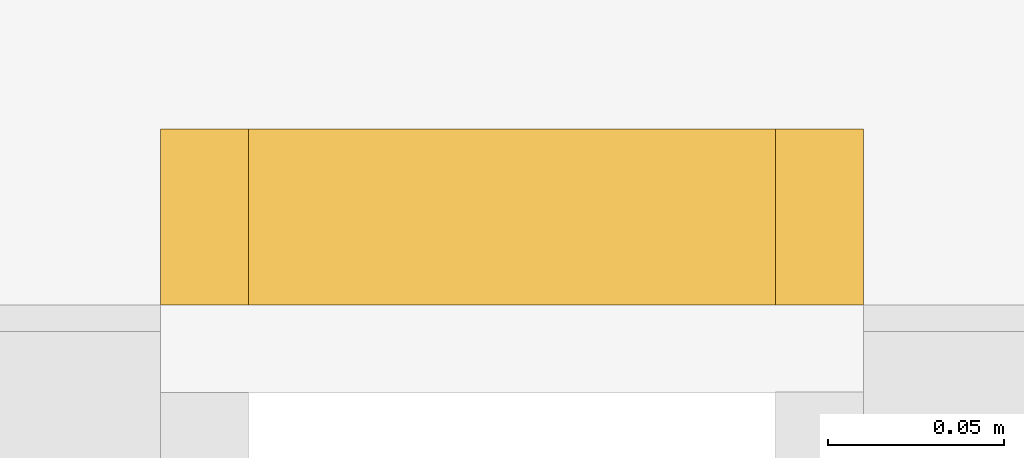
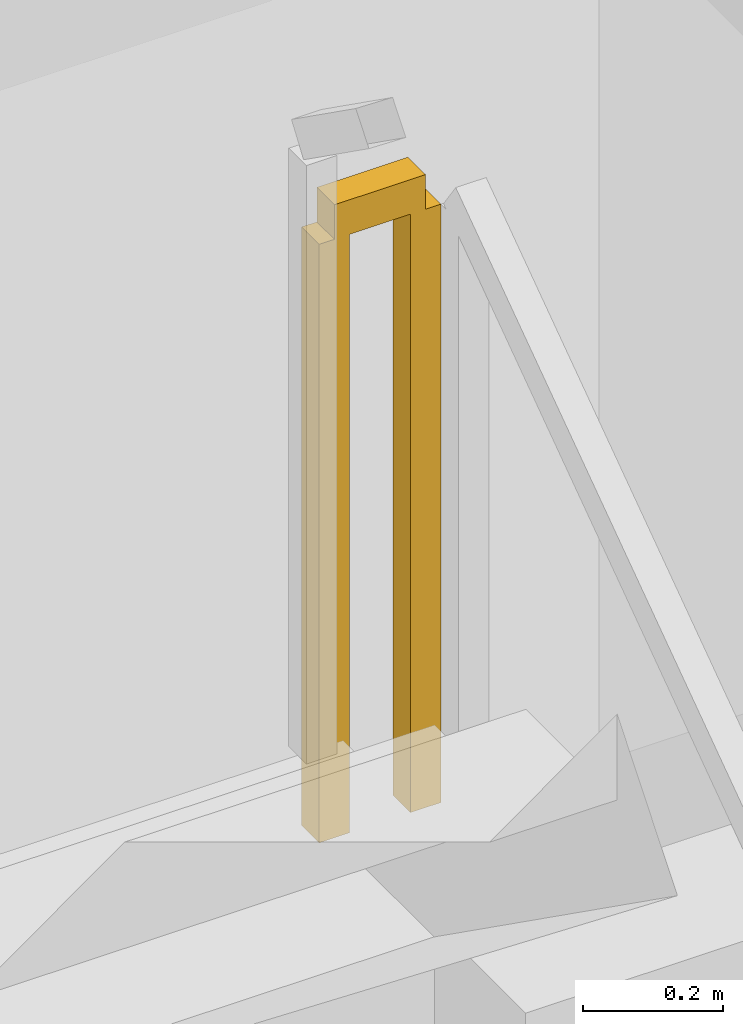
# One storey, part 32 of 32: 1 railing.
"""IFC4 building model written with IfcOpenShell, lengths in metres."""

from ifc_helpers import new_model, si_unit, direction, frame, origin, origin_2d, place, context, subcontext, project, spatial, rectangle, extrude, material, type_object, element, save


model = new_model("IFC4")

# Units and contexts
model_context = context("Model", 3, precision=1e-05, world=origin(), true_north=direction((0.0, 1.0)))
body_context = subcontext(model_context, "Body", "Model", "MODEL_VIEW")
ifc_project = project(units=[si_unit("LENGTHUNIT", "METRE"), si_unit("AREAUNIT", "SQUARE_METRE"), si_unit("VOLUMEUNIT", "CUBIC_METRE"), si_unit("PLANEANGLEUNIT", "RADIAN"), si_unit("MASSUNIT", "GRAM", prefix="KILO")], contexts=[model_context])

# Site, building, storey
site_placement = place(None, origin())
site = spatial("IfcSite", under=ifc_project, at=site_placement, CompositionType="ELEMENT")
building_placement = place(site_placement, origin())
building = spatial("IfcBuilding", under=site, at=building_placement, Name="Khepri Terraces", CompositionType="ELEMENT")
storey_placement = place(building_placement, frame((0.0, 0.0, 12.0)))
storey = spatial("IfcBuildingStorey", under=building, at=storey_placement, Name="L02", CompositionType="ELEMENT", Elevation=12.0)

# Railing
ifc_material = material(Name="Stainless steel 316", Category="steel")
railing_type = type_object("IfcRailingType", Name="RL-POD-GUARD", PredefinedType="GUARDRAIL", material=ifc_material)
railing_placement = place(storey_placement, frame((23.64990234375, 23.219970703125, 2.39990234375)))
element("IfcRailing", 1, at=railing_placement, inside=storey, type_object=railing_type, Name="L02 PS-1 stair guard 2", PredefinedType="GUARDRAIL", context=body_context, shape_type="SweptSolid", body=[
    extrude(rectangle(XDim=0.050048828125, YDim=0.06005859375, at=origin_2d()), frame((0.0, 0.0, 1.070068359375), z_axis=(-1.0, 0.0, 0.0), x_axis=(0.0, -1.0, 0.0)), (0.0, 0.0, 1.0), 0.14990234375),
    extrude(rectangle(XDim=0.050048828125, YDim=0.050048828125, at=origin_2d()), origin(), (0.0, 0.0, 1.0), 1.0400390625),
    extrude(rectangle(XDim=0.050048828125, YDim=0.050048828125, at=origin_2d()), frame((-0.14990234375, 0.0, 0.0)), (0.0, 0.0, 1.0), 1.0400390625),
])

save(model, "model.ifc")
